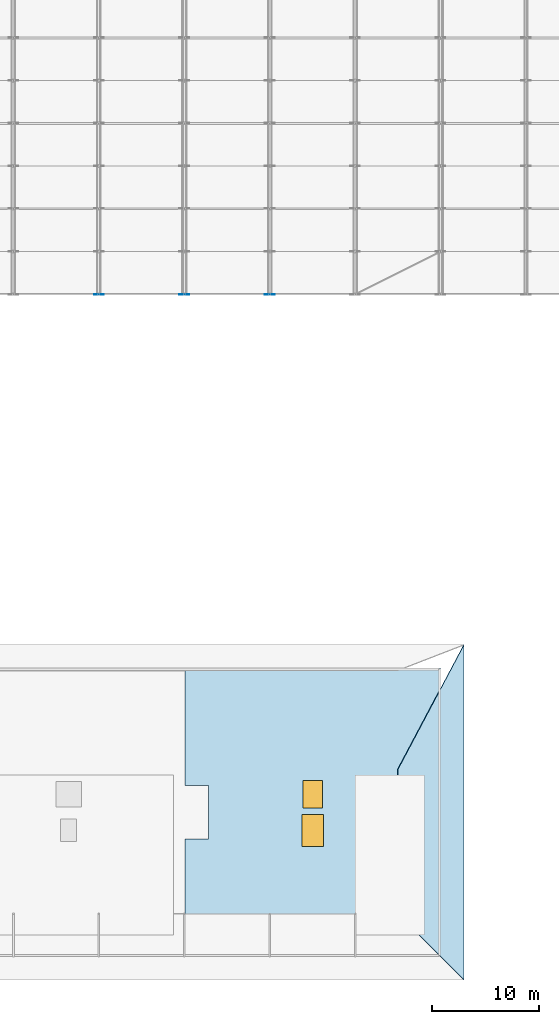
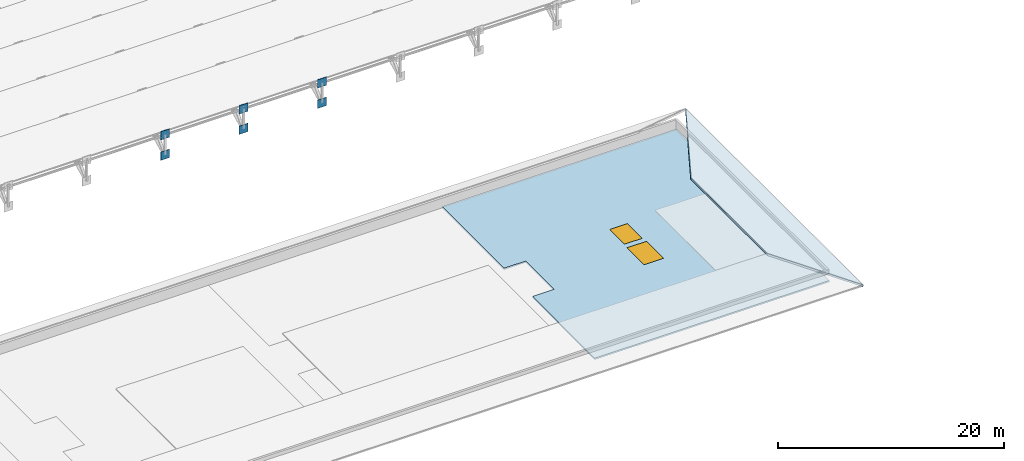
"""IFC4 building model written with IfcOpenShell, lengths in metres."""

from ifc_helpers import new_model, si_unit, direction, frame, origin, origin_2d, place, context, subcontext, project, spatial, polyline, rectangle, outline, extrude, material, layer, layer_set, type_object, element, fill, save


model = new_model("IFC4")

# Units and contexts
model_context = context("Model", 3, precision=1e-05, world=origin(), true_north=direction((0.0, 1.0)))
body_context = subcontext(model_context, "Body", "Model", "MODEL_VIEW")
ifc_project = project(units=[si_unit("LENGTHUNIT", "METRE"), si_unit("AREAUNIT", "SQUARE_METRE"), si_unit("VOLUMEUNIT", "CUBIC_METRE"), si_unit("PLANEANGLEUNIT", "RADIAN"), si_unit("MASSUNIT", "GRAM", prefix="KILO")], contexts=[model_context])

# Site, building, storey
site_placement = place(None, origin())
site = spatial("IfcSite", under=ifc_project, at=site_placement, CompositionType="ELEMENT")
building_placement = place(site_placement, origin())
building = spatial("IfcBuilding", under=site, at=building_placement, Name="Tlacozan Convention Centre", CompositionType="ELEMENT")
storey_1_placement = place(building_placement, frame((0.0, 0.0, 25.800048828125)))
storey_1 = spatial("IfcBuildingStorey", under=building, at=storey_1_placement, Name="Roof", CompositionType="ELEMENT", Elevation=25.800048828125)

# Plates
ifc_material_1 = material(Name="Steel ASTM A572 Grade 50", Category="steel")
ifc_layer_1 = layer(ifc_material_1, 0.044921875)
ifc_layer_set_1 = layer_set([ifc_layer_1], Name="Steel ASTM A572 Grade 50")
plate_type = type_object("IfcPlateType", Name="Arch Springing Node Gusset Plate", PredefinedType="SHEET", material=ifc_layer_set_1)
for number, where, z_axis, x_axis, name in (
    (1, (64.0, 61.976318359375, -11.061767578125), (0.0, 0.0, 1.0), (0.0, 1.0, 0.0), "Roof Gusset Cap Plate 273"),
    (2, (64.0, 61.976318359375, -13.26171875), (0.0, 0.0, 1.0), (0.0, 1.0, 0.0), "Roof Gusset Cap Plate 275"),
    (3, (72.0, 61.976318359375, -11.061767578125), (0.0, 0.0, 1.0), (0.0, 1.0, 0.0), "Roof Gusset Cap Plate 307"),
    (4, (72.0, 61.976318359375, -13.26171875), (0.0, 0.0, 1.0), (0.0, 1.0, 0.0), "Roof Gusset Cap Plate 309"),
    (5, (80.0, 61.976318359375, -11.061767578125), (0.0, 0.0, 1.0), (0.0, 1.0, 0.0), "Roof Gusset Cap Plate 341"),
    (6, (80.0, 61.976318359375, -13.26171875), (0.0, 0.0, 1.0), (0.0, 1.0, 0.0), "Roof Gusset Cap Plate 343"),
):
    element("IfcPlate", number, at=place(storey_1_placement, frame(where, z_axis=z_axis, x_axis=x_axis)), inside=storey_1, type_object=plate_type, Name=name, PredefinedType="SHEET", context=body_context, shape_type="SweptSolid", body=[
        extrude(rectangle(XDim=0.044921875, YDim=0.89990234375, at=origin_2d()), origin(), (0.0, 0.0, 1.0), 0.89990234375),
    ])

# Slab, openings
ifc_material_2 = material(Name="Concrete C40/50", Category="concrete")
ifc_layer_2 = layer(ifc_material_2, 0.159912109375)
ifc_layer_set_2 = layer_set([ifc_layer_2], Name="Concrete C40/50")
slab_type_1 = type_object("IfcSlabType", Name="Congress Flat Roof Deck 160", PredefinedType="ROOF", material=ifc_layer_set_2)
slab_1_placement = place(storey_1_placement, frame((0.0, 0.0, -0.16015625)))
slab_1 = element("IfcSlab", 7, at=slab_1_placement, inside=storey_1, type_object=slab_type_1, Name="Roof Congress Flat Roof Deck 160 92", PredefinedType="ROOF", context=body_context, shape_type="SweptSolid", body=[
    extrude(outline(polyline([(72.050048828125, 27.0), (96.0, 27.0), (96.0, 0.0), (72.050048828125, 0.0), (72.050048828125, 11.0), (74.25, 11.0), (74.25, 16.0), (72.050048828125, 16.0), (72.050048828125, 27.0)])), origin(), (0.0, 0.0, 1.0), 0.16015625),
])
opening_1_placement = place(slab_1_placement, frame((84.02490234375, 11.800048828125, 0.0)))
opening_1 = element("IfcOpeningElement", 8, at=opening_1_placement, cuts=slab_1, Name="Opening SK-02", PredefinedType="OPENING", context=body_context, shape_type="SweptSolid", body=[
    extrude(rectangle(XDim=2.0, YDim=3.0, at=origin_2d()), frame((0.0, 0.0, -0.010009765625)), (0.0, 0.0, 1.0), 0.18017578125),
])
opening_2_placement = place(slab_1_placement, frame((84.02490234375, 15.199951171875, 0.0)))
opening_2 = element("IfcOpeningElement", 9, at=opening_2_placement, cuts=slab_1, Name="Opening SK-03", PredefinedType="OPENING", context=body_context, shape_type="SweptSolid", body=[
    extrude(rectangle(XDim=1.800048828125, YDim=2.60009765625, at=origin_2d()), frame((0.0, 0.0, -0.010009765625)), (0.0, 0.0, 1.0), 0.18017578125),
])

# Storey
storey_2_placement = place(building_placement, frame((0.0, 0.0, 21.0)))
storey_2 = spatial("IfcBuildingStorey", under=building, at=storey_2_placement, Name="L04", CompositionType="ELEMENT", Elevation=21.0)

# Window
ifc_material_3 = material(Name="Solar Control Double Low-E Argon Glazing", Category="glass")
window_type_1 = type_object("IfcWindowType", Name="Concourse Lantern Skylight 1800x2600", PartitioningType="SINGLE_PANEL", PredefinedType="SKYLIGHT", material=ifc_material_3)
window_1_placement = place(opening_2_placement, frame((0.0, 0.0, 0.110107421875)))
window_1 = element("IfcWindow", 10, at=window_1_placement, inside=storey_2, type_object=window_type_1, Name="Roof Skylight 8", OverallHeight=2.60009765625, OverallWidth=1.800048828125, PartitioningType="SINGLE_PANEL", PredefinedType="SKYLIGHT", context=body_context, shape_type="SweptSolid", body=[
    extrude(rectangle(XDim=1.800048828125, YDim=2.60009765625, at=origin_2d()), origin(), (0.0, 0.0, 1.0), 0.050048828125),
])

fill(opening_2, window_1)

window_type_2 = type_object("IfcWindowType", Name="Roof Daylight Skylight 2000x3000", PartitioningType="SINGLE_PANEL", PredefinedType="SKYLIGHT", material=ifc_material_3)
window_2_placement = place(opening_1_placement, frame((0.0, 0.0, 0.110107421875)))
window_2 = element("IfcWindow", 11, at=window_2_placement, inside=storey_2, type_object=window_type_2, Name="Roof Skylight 7", OverallHeight=3.0, OverallWidth=2.0, PartitioningType="SINGLE_PANEL", PredefinedType="SKYLIGHT", context=body_context, shape_type="SweptSolid", body=[
    extrude(rectangle(XDim=2.0, YDim=3.0, at=origin_2d()), origin(), (0.0, 0.0, 1.0), 0.050048828125),
])

fill(opening_1, window_2)

# Slab
ifc_layer_3 = layer(ifc_material_2, 0.169921875)
ifc_layer_set_3 = layer_set([ifc_layer_3], Name="Concrete C40/50")
slab_type_2 = type_object("IfcSlabType", Name="Prairie Hipped Overhang Roof Slab 170", PredefinedType="ROOF", material=ifc_layer_set_3)
slab_2_placement = place(storey_1_placement, frame((98.199951171875, -2.199951171875, 0.050048828125), z_axis=(0.278784318305, 0.0, 0.960353738925), x_axis=(0.0, 1.0, 0.0)))
element("IfcSlab", 12, at=slab_2_placement, inside=storey_1, type_object=slab_type_2, Name="V1 Prairie Hipped Roof Slab EAST", PredefinedType="ROOF", context=body_context, shape_type="SweptSolid", body=[
    extrude(outline(polyline([(0.0, 0.0), (31.39990234375, 0.0), (19.699951171875, 6.455903611949388), (6.199951171875, 6.455903611949388), (0.0, 0.0)])), origin(), (0.0, 0.0, -1.0), 0.169921875),
])

save(model, "model.ifc")
